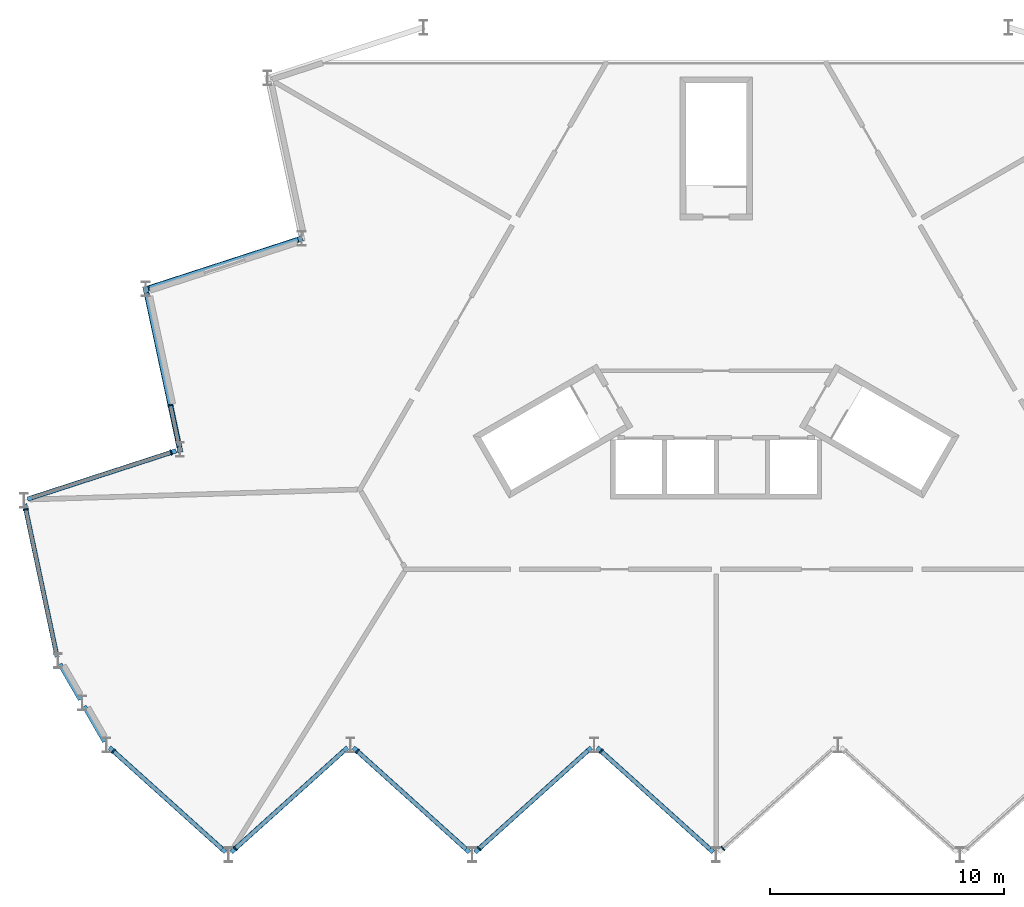
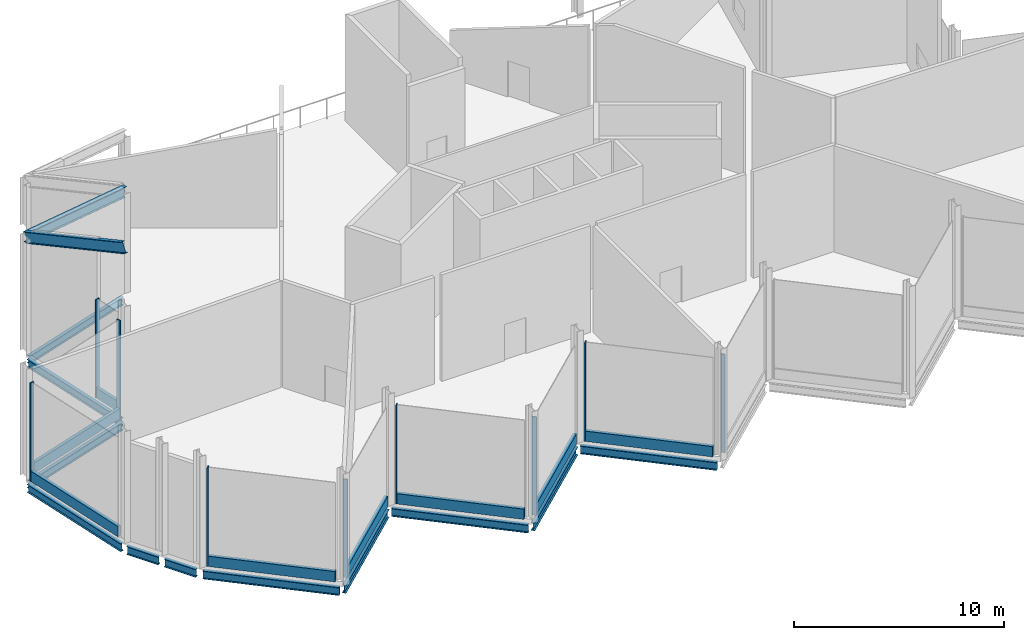
# One storey, part 4 of 10: 19 members, 11 beams, 9 elements without a shape of their own.
"""IFC4 building model written with IfcOpenShell, lengths in metres."""

import ifcopenshell
import ifcopenshell.guid

model = None  # the IFC model being written
_history = None  # IfcOwnerHistory: only IFC2X3 demands one
_inside = {}  # id of a spatial element -> (the spatial element, [elements in it])
_under = {}  # id of a project, library or spatial element -> (it, [spatial elements below it])
_declared = {}  # id of a project -> (the project, [libraries it declares])
_typed = {}  # id of a type object -> (the type object, [elements of that type])
_made_of = {}  # id of a material, layer set ... -> (it, [elements and type objects made of it])


def new_model(schema):
    """Start an empty IFC model of exactly this schema.

    Asked for "IFC4X3", IfcOpenShell would pick the latest addendum, in which some entities
    have other attributes; the version numbers below select the first issue.
    IFC2X3 requires an IfcOwnerHistory on every rooted entity: one is made here for all.
    """
    global model, _history
    if schema == "IFC4X3":
        model = ifcopenshell.file(schema_version=(4, 3, 0, 0))
    else:
        model = ifcopenshell.file(schema=schema)
    _inside.clear()
    _under.clear()
    _declared.clear()
    _typed.clear()
    _made_of.clear()
    _history = None
    if model.schema == "IFC2X3":
        org = make("IfcOrganization", Name="unknown")
        user = make(
            "IfcPersonAndOrganization",
            ThePerson=make("IfcPerson", FamilyName="unknown"),
            TheOrganization=org,
        )
        app = make(
            "IfcApplication",
            ApplicationDeveloper=org,
            Version="unknown",
            ApplicationFullName="unknown",
            ApplicationIdentifier="unknown",
        )
        _history = make(
            "IfcOwnerHistory",
            OwningUser=user,
            OwningApplication=app,
            ChangeAction="ADDED",
            CreationDate=0,
        )
    return model


def make(cls, **values):
    """One entity of the class cls with the attributes given. An attribute that is None is left unset."""
    return model.create_entity(
        cls, **{name: value for name, value in values.items() if value is not None}
    )


def rooted(cls, **values):
    """An entity with a GlobalId (a new one), such as an element, a storey or a relation."""
    return make(cls, GlobalId=ifcopenshell.guid.new(), OwnerHistory=_history, **values)


def si_unit(unit_type, name, prefix=None):
    """IfcSIUnit, for example si_unit("LENGTHUNIT", "METRE", prefix="MILLI")."""
    return make("IfcSIUnit", UnitType=unit_type, Prefix=prefix, Name=name)


def assignment(units):
    """IfcUnitAssignment: the units of a project."""
    return None if units is None else make("IfcUnitAssignment", Units=units)


def point(xyz):
    """IfcCartesianPoint."""
    return None if xyz is None else make("IfcCartesianPoint", Coordinates=xyz)


def direction(xyz):
    """IfcDirection."""
    return None if xyz is None else make("IfcDirection", DirectionRatios=xyz)


def frame(location, z_axis=None, x_axis=None):
    """IfcAxis2Placement3D, a coordinate frame: its origin and axes. An axis left out is left unset."""
    return make(
        "IfcAxis2Placement3D",
        Location=point(location),
        Axis=direction(z_axis),
        RefDirection=direction(x_axis),
    )


def frame_2d(location, x_axis=None):
    """IfcAxis2Placement2D, a coordinate frame in the plane: its origin and x axis."""
    return make(
        "IfcAxis2Placement2D", Location=point(location), RefDirection=direction(x_axis)
    )


def origin():
    """The frame at (0, 0, 0) with its axes left unset."""
    return frame((0.0, 0.0, 0.0))


def origin_2d():
    """The frame at (0, 0) in the plane with its x axis left unset."""
    return frame_2d((0.0, 0.0))


def place(relative_to, where):
    """IfcLocalPlacement: puts the frame where relative to a parent placement (None: the world)."""
    return make(
        "IfcLocalPlacement", PlacementRelTo=relative_to, RelativePlacement=where
    )


def context(
    kind, dimensions, precision=None, world=None, true_north=None, identifier=None
):
    """IfcGeometricRepresentationContext, for example the 3D "Model" context."""
    return make(
        "IfcGeometricRepresentationContext",
        ContextIdentifier=identifier,
        ContextType=kind,
        CoordinateSpaceDimension=dimensions,
        Precision=precision,
        WorldCoordinateSystem=world,
        TrueNorth=true_north,
    )


def subcontext(parent, identifier, kind, view, scale=None):
    """IfcGeometricRepresentationSubContext, for example "Body" below "Model"."""
    return make(
        "IfcGeometricRepresentationSubContext",
        ContextIdentifier=identifier,
        ContextType=kind,
        ParentContext=parent,
        TargetScale=scale,
        TargetView=view,
    )


def project(units=None, contexts=None):
    """IfcProject with its units and contexts."""
    return rooted(
        "IfcProject",
        Name="project",
        RepresentationContexts=contexts,
        UnitsInContext=assignment(units),
    )


def spatial(cls, under=None, at=None, **own):
    """A site, building, storey or space (cls), placed at a placement, below another one or the project."""
    s = rooted(cls, ObjectPlacement=at, **own)
    if under is not None:
        _under.setdefault(under.id(), (under, []))[1].append(s)
    return s


def profile(cls, at=None, kind="AREA", **sizes):
    """A parametric profile (cls). Its sizes go by their IFC names, for example OverallWidth=200.0."""
    return make(cls, ProfileType=kind, Position=at, **sizes)


def rectangle(**sizes):
    """IfcRectangleProfileDef."""
    return profile("IfcRectangleProfileDef", **sizes)


def i_section(**sizes):
    """IfcIShapeProfileDef."""
    return profile("IfcIShapeProfileDef", **sizes)


def extrude(swept, where, along, depth):
    """IfcExtrudedAreaSolid: the profile swept, set in the frame where, extruded along a direction by depth."""
    return make(
        "IfcExtrudedAreaSolid",
        SweptArea=swept,
        Position=where,
        ExtrudedDirection=direction(along),
        Depth=depth,
    )


def shape(context_of_items, identifier, shape_type, items):
    """IfcShapeRepresentation: the items that make up one representation, for example the "Body"."""
    return make(
        "IfcShapeRepresentation",
        ContextOfItems=context_of_items,
        RepresentationIdentifier=identifier,
        RepresentationType=shape_type,
        Items=items,
    )


def material(Name=None, Category=None):
    """IfcMaterial."""
    return make("IfcMaterial", Name=Name, Category=Category)


def layer(
    of_material, thickness, ventilated=None, Name=None, Category=None, Priority=None
):
    """IfcMaterialLayer: one layer of a wall or slab, of a material (None: an air gap)."""
    return make(
        "IfcMaterialLayer",
        Material=of_material,
        LayerThickness=thickness,
        IsVentilated=ventilated,
        Name=Name,
        Category=Category,
        Priority=Priority,
    )


def layer_set(layers, Name=None):
    """IfcMaterialLayerSet."""
    return make("IfcMaterialLayerSet", MaterialLayers=layers, LayerSetName=Name)


def material_profile(
    of_material, cross_section, Name=None, Category=None, Priority=None
):
    """IfcMaterialProfile: a cross section and its material."""
    return make(
        "IfcMaterialProfile",
        Name=Name,
        Material=of_material,
        Profile=cross_section,
        Priority=Priority,
        Category=Category,
    )


def profile_set(profiles, Name=None, composite=None):
    """IfcMaterialProfileSet."""
    return make(
        "IfcMaterialProfileSet",
        Name=Name,
        MaterialProfiles=profiles,
        CompositeProfile=composite,
    )


def made_of(thing, what):
    """Note that an element or type object is made of a material, layer set ...; save() writes the relation."""
    if what is not None:
        _made_of.setdefault(what.id(), (what, []))[1].append(thing)
    return thing


def type_object(cls, material=None, **own):
    """A type object (cls), such as IfcWallType, which elements share."""
    return made_of(rooted(cls, **own), material)


def element(
    cls,
    number,
    at=None,
    inside=None,
    cuts=None,
    type_object=None,
    material=None,
    context=None,
    identifier="Body",
    shape_type=None,
    held_by="IfcProductDefinitionShape",
    body=None,
    shapes=None,
    **own,
):
    """One element of the class cls, such as IfcWall. Its Tag is "e" and its number.

    at: its placement. inside: the storey or other place that contains it. cuts: it is an
    opening in that element (IfcRelVoidsElement). A single representation is given by context,
    identifier, shape_type and body (its items); several are given by shapes. held_by: the class
    of the entity that holds the representations. save() writes the other relations.
    """
    e = rooted(cls, Tag="e%d" % number, ObjectPlacement=at, **own)
    if body is not None:
        shapes = [shape(context, identifier, shape_type, body)]
    if shapes is not None:
        e.Representation = make(held_by, Representations=shapes)
    if inside is not None:
        _inside.setdefault(inside.id(), (inside, []))[1].append(e)
    if cuts is not None:
        rooted(
            "IfcRelVoidsElement", RelatingBuildingElement=cuts, RelatedOpeningElement=e
        )
    if type_object is not None:
        _typed.setdefault(type_object.id(), (type_object, []))[1].append(e)
    return made_of(e, material)


def aggregate(whole, parts):
    """IfcRelAggregates: a whole, such as a stair, and the parts it consists of."""
    return rooted("IfcRelAggregates", RelatingObject=whole, RelatedObjects=parts)


def save(model, path):
    """Write the relations noted so far, then the file.

    IfcRelAggregates (storeys below a building ...), IfcRelContainedInSpatialStructure (elements
    in a storey), IfcRelDefinesByType, IfcRelAssociatesMaterial and IfcRelDeclares: one each for
    every whole, place, type object, material and project.
    """
    for whole, parts in _under.values():
        aggregate(whole, parts)
    for where, things in _inside.values():
        rooted(
            "IfcRelContainedInSpatialStructure",
            RelatedElements=things,
            RelatingStructure=where,
        )
    for kind, things in _typed.values():
        rooted("IfcRelDefinesByType", RelatedObjects=things, RelatingType=kind)
    for what, things in _made_of.values():
        rooted("IfcRelAssociatesMaterial", RelatedObjects=things, RelatingMaterial=what)
    for by, libraries in _declared.values():
        rooted("IfcRelDeclares", RelatingContext=by, RelatedDefinitions=libraries)
    model.write(path)


model = new_model("IFC4")

# Units and contexts
model_context = context("Model", 3, precision=1e-05, world=origin(), true_north=direction((0.0, 1.0)))
body_context = subcontext(model_context, "Body", "Model", "MODEL_VIEW")
ifc_project = project(units=[si_unit("LENGTHUNIT", "METRE"), si_unit("AREAUNIT", "SQUARE_METRE"), si_unit("VOLUMEUNIT", "CUBIC_METRE"), si_unit("PLANEANGLEUNIT", "RADIAN"), si_unit("MASSUNIT", "GRAM", prefix="KILO")], contexts=[model_context])

# Site, building, storey
site_placement = place(None, origin())
site = spatial("IfcSite", under=ifc_project, at=site_placement, CompositionType="ELEMENT")
building_placement = place(site_placement, origin())
building = spatial("IfcBuilding", under=site, at=building_placement, Name="Cormorant Prow Tower", CompositionType="ELEMENT")
storey_placement = place(building_placement, frame((0.0, 0.0, 441.199951171875)))
storey = spatial("IfcBuildingStorey", under=building, at=storey_placement, Name="L98", CompositionType="ELEMENT", Elevation=441.199951171875)

# Members
ifc_material_1 = material(Name="Structural steel ASTM A992 Gr 50", Category="steel")
ifc_material_profile_1 = material_profile(ifc_material_1, i_section(OverallWidth=0.22900390625, OverallDepth=0.612060546875, WebThickness=0.011962890625, FlangeThickness=0.01953125, at=origin_2d()), Name="W24x84")
ifc_profile_set_1 = profile_set([ifc_material_profile_1], Name="Structural steel ASTM A992 Gr 50")
member_type_1 = type_object("IfcMemberType", Name="Crown frame edge member W24x84", PredefinedType="USERDEFINED", material=ifc_profile_set_1)
member_1_placement = place(storey_placement, frame((-17.673828125, 4.199462890625, 5.731689453125), z_axis=(-0.94228602801, -0.306144437011, 0.135545656902), x_axis=(0.308996131046, -0.951063294949, 0.0)))
element("IfcMember", 1, at=member_1_placement, inside=storey, type_object=member_type_1, Name="Crown frame edge member CF3 WNW06-WNW07", ObjectType="CROWN FRAME", PredefinedType="USERDEFINED", context=body_context, shape_type="SweptSolid", body=[
    extrude(i_section(OverallWidth=0.22900390625, OverallDepth=0.612060546875, WebThickness=0.011962890625, FlangeThickness=0.01953125, at=origin_2d()), origin(), (0.0, 0.0, 1.0), 7.0625),
])
ifc_material_2 = material(Name="Structural steel ASTM A992 Gr 50", Category="steel")
ifc_material_profile_2 = material_profile(ifc_material_2, i_section(OverallWidth=0.22900390625, OverallDepth=0.612060546875, WebThickness=0.011962890625, FlangeThickness=0.01953125, at=origin_2d()), Name="W24x84")
ifc_profile_set_2 = profile_set([ifc_material_profile_2], Name="Structural steel ASTM A992 Gr 50")
member_type_2 = type_object("IfcMemberType", Name="Crown frame rafter W24x84", PredefinedType="RAFTER", material=ifc_profile_set_2)
member_2_placement = place(storey_placement, frame((-24.32861328125, 2.037353515625, 6.7021484375), z_axis=(0.190791444748, -0.897606671171, 0.397367447687), x_axis=(0.978147765396, 0.20791091614, 0.0)))
element("IfcMember", 2, at=member_2_placement, inside=storey, type_object=member_type_2, Name="Crown frame rafter CF2 WNW07-WNW08", PredefinedType="RAFTER", context=body_context, shape_type="SweptSolid", body=[
    extrude(i_section(OverallWidth=0.22900390625, OverallDepth=0.612060546875, WebThickness=0.011962890625, FlangeThickness=0.01953125, at=origin_2d()), origin(), (0.0, 0.0, 1.0), 7.625244140625),
])

# Curtain wall, member
ifc_material_3 = material(Name="Aluminium 6063-T6", Category="aluminium")
ifc_layer = layer(ifc_material_3, 0.219970703125)
ifc_layer_set = layer_set([ifc_layer], Name="Aluminium 6063-T6")
curtain_wall_type = type_object("IfcCurtainWallType", Name="Crown unitised curtain wall 220", PredefinedType="NOTDEFINED", material=ifc_layer_set)
curtain_wall_1_placement = place(storey_placement, origin())
curtain_wall_1 = element("IfcCurtainWall", 3, at=curtain_wall_1_placement, inside=storey, type_object=curtain_wall_type, Name="Crown curtain wall crown S00", PredefinedType="NOTDEFINED")
ifc_material_4 = material(Name="Aluminium 6063-T6", Category="aluminium")
ifc_material_profile_3 = material_profile(ifc_material_4, rectangle(XDim=0.219970703125, YDim=0.06005859375, at=origin_2d()), Name="Crown mullion 60x220")
ifc_profile_set_3 = profile_set([ifc_material_profile_3], Name="Aluminium 6063-T6")
member_type_3 = type_object("IfcMemberType", Name="Crown mullion 60x220", PredefinedType="MULLION", material=ifc_profile_set_3)
member_3_placement = place(storey_placement, frame((-25.705810546875, -17.670654296875, 0.0), z_axis=(0.0, 0.0, 1.0), x_axis=(0.669130603959, 0.743144827638, 0.0)))
member_3 = element("IfcMember", 4, at=member_3_placement, type_object=member_type_3, Name="Crown mullion crown S00", PredefinedType="MULLION", context=body_context, shape_type="SweptSolid", body=[
    extrude(rectangle(XDim=0.219970703125, YDim=0.06005859375, at=origin_2d()), origin(), (0.0, 0.0, 1.0), 5.73388671875),
])

curtain_wall_2_placement = place(storey_placement, origin())
curtain_wall_2 = element("IfcCurtainWall", 5, at=curtain_wall_2_placement, inside=storey, type_object=curtain_wall_type, Name="Crown curtain wall crown S01", PredefinedType="NOTDEFINED")
member_4_placement = place(storey_placement, frame((-20.505615234375, -21.82275390625, 0.0), z_axis=(0.0, 0.0, 1.0), x_axis=(-0.669130603959, 0.743144827638, 0.0)))
member_4 = element("IfcMember", 6, at=member_4_placement, type_object=member_type_3, Name="Crown mullion crown S01", PredefinedType="MULLION", context=body_context, shape_type="SweptSolid", body=[
    extrude(rectangle(XDim=0.219970703125, YDim=0.06005859375, at=origin_2d()), origin(), (0.0, 0.0, 1.0), 5.73388671875),
])

curtain_wall_3_placement = place(storey_placement, origin())
curtain_wall_3 = element("IfcCurtainWall", 7, at=curtain_wall_3_placement, inside=storey, type_object=curtain_wall_type, Name="Crown curtain wall crown S02", PredefinedType="NOTDEFINED")
member_5_placement = place(storey_placement, frame((-15.3056640625, -17.670654296875, 0.0), z_axis=(0.0, 0.0, 1.0), x_axis=(0.669130603959, 0.743144827638, 0.0)))
member_5 = element("IfcMember", 8, at=member_5_placement, type_object=member_type_3, Name="Crown mullion crown S02", PredefinedType="MULLION", context=body_context, shape_type="SweptSolid", body=[
    extrude(rectangle(XDim=0.219970703125, YDim=0.06005859375, at=origin_2d()), origin(), (0.0, 0.0, 1.0), 5.73388671875),
])

curtain_wall_4_placement = place(storey_placement, origin())
curtain_wall_4 = element("IfcCurtainWall", 9, at=curtain_wall_4_placement, inside=storey, type_object=curtain_wall_type, Name="Crown curtain wall crown S03", PredefinedType="NOTDEFINED")
member_6_placement = place(storey_placement, frame((-10.105712890625, -21.82275390625, 0.0), z_axis=(0.0, 0.0, 1.0), x_axis=(-0.669130603959, 0.743144827638, 0.0)))
member_6 = element("IfcMember", 10, at=member_6_placement, type_object=member_type_3, Name="Crown mullion crown S03", PredefinedType="MULLION", context=body_context, shape_type="SweptSolid", body=[
    extrude(rectangle(XDim=0.219970703125, YDim=0.06005859375, at=origin_2d()), origin(), (0.0, 0.0, 1.0), 5.73388671875),
])

curtain_wall_5_placement = place(storey_placement, origin())
curtain_wall_5 = element("IfcCurtainWall", 11, at=curtain_wall_5_placement, inside=storey, type_object=curtain_wall_type, Name="Crown curtain wall crown S04", PredefinedType="NOTDEFINED")
member_7_placement = place(storey_placement, frame((-4.90576171875, -17.670654296875, 0.0), z_axis=(0.0, 0.0, 1.0), x_axis=(0.669130603959, 0.743144827638, 0.0)))
member_7 = element("IfcMember", 12, at=member_7_placement, type_object=member_type_3, Name="Crown mullion crown S04", PredefinedType="MULLION", context=body_context, shape_type="SweptSolid", body=[
    extrude(rectangle(XDim=0.219970703125, YDim=0.06005859375, at=origin_2d()), origin(), (0.0, 0.0, 1.0), 5.73388671875),
])

curtain_wall_6_placement = place(storey_placement, origin())
curtain_wall_6 = element("IfcCurtainWall", 13, at=curtain_wall_6_placement, inside=storey, type_object=curtain_wall_type, Name="Crown curtain wall crown S05", PredefinedType="NOTDEFINED")
member_8_placement = place(storey_placement, frame((0.294189453125, -21.82275390625, 0.0), z_axis=(0.0, 0.0, 1.0), x_axis=(-0.669130603959, 0.743144827638, 0.0)))
member_8 = element("IfcMember", 14, at=member_8_placement, type_object=member_type_3, Name="Crown mullion crown S05", PredefinedType="MULLION", context=body_context, shape_type="SweptSolid", body=[
    extrude(rectangle(XDim=0.219970703125, YDim=0.06005859375, at=origin_2d()), origin(), (0.0, 0.0, 1.0), 5.73388671875),
])
aggregate(curtain_wall_6, [member_8])

curtain_wall_7_placement = place(storey_placement, origin())
curtain_wall_7 = element("IfcCurtainWall", 15, at=curtain_wall_7_placement, inside=storey, type_object=curtain_wall_type, Name="Crown curtain wall crown WNW07", PredefinedType="NOTDEFINED")
member_9_placement = place(storey_placement, frame((-23.275390625, -2.91748046875, 0.0), z_axis=(0.0, 0.0, 1.0), x_axis=(0.978147615768, 0.207911620089, 0.0)))
member_9 = element("IfcMember", 16, at=member_9_placement, type_object=member_type_3, Name="Crown mullion crown WNW07", PredefinedType="MULLION", context=body_context, shape_type="SweptSolid", body=[
    extrude(rectangle(XDim=0.219970703125, YDim=0.06005859375, at=origin_2d()), origin(), (0.0, 0.0, 1.0), 5.73388671875),
])

curtain_wall_8_placement = place(storey_placement, origin())
curtain_wall_8 = element("IfcCurtainWall", 17, at=curtain_wall_8_placement, inside=storey, type_object=curtain_wall_type, Name="Crown curtain wall crown WNW08", PredefinedType="NOTDEFINED")
member_10_placement = place(storey_placement, frame((-23.25048828125, -4.929443359375, 0.0), z_axis=(0.0, 0.0, 1.0), x_axis=(0.309016937108, -0.951056534902, 0.0)))
member_10 = element("IfcMember", 18, at=member_10_placement, type_object=member_type_3, Name="Crown mullion crown WNW08", PredefinedType="MULLION", context=body_context, shape_type="SweptSolid", body=[
    extrude(rectangle(XDim=0.219970703125, YDim=0.06005859375, at=origin_2d()), origin(), (0.0, 0.0, 1.0), 5.73388671875),
])

curtain_wall_9_placement = place(storey_placement, origin())
curtain_wall_9 = element("IfcCurtainWall", 19, at=curtain_wall_9_placement, inside=storey, type_object=curtain_wall_type, Name="Crown curtain wall crown WNW09", PredefinedType="NOTDEFINED")
member_11_placement = place(storey_placement, frame((-29.4462890625, -7.356689453125, 0.0), z_axis=(0.0, 0.0, 1.0), x_axis=(0.978147615768, 0.207911620089, 0.0)))
member_11 = element("IfcMember", 20, at=member_11_placement, type_object=member_type_3, Name="Crown mullion crown WNW09", PredefinedType="MULLION", context=body_context, shape_type="SweptSolid", body=[
    extrude(rectangle(XDim=0.219970703125, YDim=0.06005859375, at=origin_2d()), origin(), (0.0, 0.0, 1.0), 5.73388671875),
])

# Beams
ifc_material_5 = material(Name="Structural steel ASTM A992 Gr 50", Category="steel")
ifc_material_profile_4 = material_profile(ifc_material_5, i_section(OverallWidth=0.19287109375, OverallDepth=0.466064453125, WebThickness=0.011474609375, FlangeThickness=0.01904296875, at=origin_2d()), Name="W18x65")
ifc_profile_set_4 = profile_set([ifc_material_profile_4], Name="Structural steel ASTM A992 Gr 50")
beam_type = type_object("IfcBeamType", Name="Crown ring beam W18x65", PredefinedType="SPANDREL", material=ifc_profile_set_4)
for number, where, z_axis, x_axis, name in (
    (21, (-25.878662109375, -17.514892578125, -0.532958984375), (0.743139440672, -0.669136586743, 0.0), (0.669136586743, 0.743139440672, 0.0), "Crown ring beam SB5 S00-S01 L98"),
    (22, (-20.6787109375, -21.978515625, -0.532958984375), (0.743139440672, 0.669136586743, 0.0), (-0.669136586743, 0.743139440672, 0.0), "Crown ring beam SB5 S01-S02 L98"),
):
    element("IfcBeam", number, at=place(storey_placement, frame(where, z_axis=z_axis, x_axis=x_axis)), inside=storey, type_object=beam_type, Name=name, PredefinedType="SPANDREL", context=body_context, shape_type="SweptSolid", body=[
        extrude(i_section(OverallWidth=0.19287109375, OverallDepth=0.466064453125, WebThickness=0.011474609375, FlangeThickness=0.01904296875, at=origin_2d()), origin(), (0.0, 0.0, 1.0), 6.670654296875),
    ])
beam_1_placement = place(storey_placement, frame((-15.478759765625, -17.514892578125, -0.532958984375), z_axis=(0.743155826906, -0.669118387832, 0.0), x_axis=(0.669118387832, 0.743155826906, 0.0)))
element("IfcBeam", 23, at=beam_1_placement, inside=storey, type_object=beam_type, Name="Crown ring beam SB5 S02-S03 L98", PredefinedType="SPANDREL", context=body_context, shape_type="SweptSolid", body=[
    extrude(i_section(OverallWidth=0.19287109375, OverallDepth=0.466064453125, WebThickness=0.011474609375, FlangeThickness=0.01904296875, at=origin_2d()), origin(), (0.0, 0.0, 1.0), 6.6708984375),
])
for number, where, z_axis, x_axis, name in (
    (24, (-10.278564453125, -21.978515625, -0.532958984375), (0.743139440672, 0.669136586743, 0.0), (-0.669136586743, 0.743139440672, 0.0), "Crown ring beam SB5 S03-S04 L98"),
    (25, (-5.07861328125, -17.514892578125, -0.532958984375), (0.743139440672, -0.669136586743, 0.0), (0.669136586743, 0.743139440672, 0.0), "Crown ring beam SB5 S04-S05 L98"),
    (26, (-17.8291015625, 4.149169921875, -0.532958984375), (-0.951049666898, -0.309038073858, 0.0), (0.309038073858, -0.951049666898, 0.0), "Crown ring beam SB5 WNW06-WNW07 L98"),
):
    element("IfcBeam", number, at=place(storey_placement, frame(where, z_axis=z_axis, x_axis=x_axis)), inside=storey, type_object=beam_type, Name=name, PredefinedType="SPANDREL", context=body_context, shape_type="SweptSolid", body=[
        extrude(i_section(OverallWidth=0.19287109375, OverallDepth=0.466064453125, WebThickness=0.011474609375, FlangeThickness=0.01904296875, at=origin_2d()), origin(), (0.0, 0.0, 1.0), 6.670654296875),
    ])
beam_2_placement = place(storey_placement, frame((-24.294677734375, 1.877685546875, -0.532958984375), z_axis=(0.207911717999, -0.978147594956, 0.0), x_axis=(0.978147594956, 0.207911717999, 0.0)))
element("IfcBeam", 27, at=beam_2_placement, inside=storey, type_object=beam_type, Name="Crown ring beam SB5 WNW07-WNW08 L98", PredefinedType="SPANDREL", context=body_context, shape_type="SweptSolid", body=[
    extrude(i_section(OverallWidth=0.19287109375, OverallDepth=0.466064453125, WebThickness=0.011474609375, FlangeThickness=0.01904296875, at=origin_2d()), origin(), (0.0, 0.0, 1.0), 6.6708984375),
])
for number, where, z_axis, x_axis, name in (
    (28, (-23.029052734375, -4.857666015625, -0.532958984375), (-0.95106042314, -0.309004970083, 0.0), (0.309004970083, -0.95106042314, 0.0), "Crown ring beam SB5 WNW08-WNW09 L98"),
    (29, (-29.49462890625, -7.129150390625, -0.532958984375), (0.207919161079, -0.978146012851, 0.0), (0.978146012851, 0.207919161079, 0.0), "Crown ring beam SB5 WNW09-WSW00 L98"),
):
    element("IfcBeam", number, at=place(storey_placement, frame(where, z_axis=z_axis, x_axis=x_axis)), inside=storey, type_object=beam_type, Name=name, PredefinedType="SPANDREL", context=body_context, shape_type="SweptSolid", body=[
        extrude(i_section(OverallWidth=0.19287109375, OverallDepth=0.466064453125, WebThickness=0.011474609375, FlangeThickness=0.01904296875, at=origin_2d()), origin(), (0.0, 0.0, 1.0), 6.670654296875),
    ])
for number, where, z_axis, x_axis, name in (
    (30, (-27.9921875, -13.955078125, -0.532958984375), (0.500061095026, -0.865990127681, 0.0), (0.865990127681, 0.500061095026, 0.0), "Crown ring beam SB5 WSW00-WSW01 L98"),
    (31, (-26.955322265625, -15.751220703125, -0.532958984375), (0.500061095026, -0.865990127681, 0.0), (0.865990127681, 0.500061095026, 0.0), "Crown ring beam SB5 WSW01-S00 L98"),
):
    element("IfcBeam", number, at=place(storey_placement, frame(where, z_axis=z_axis, x_axis=x_axis)), inside=storey, type_object=beam_type, Name=name, PredefinedType="SPANDREL", context=body_context, shape_type="SweptSolid", body=[
        extrude(i_section(OverallWidth=0.19287109375, OverallDepth=0.466064453125, WebThickness=0.011474609375, FlangeThickness=0.01904296875, at=origin_2d()), origin(), (0.0, 0.0, 1.0), 1.747314453125),
    ])

# Member
ifc_material_6 = material(Name="Terracotta", Category="masonry")
ifc_material_profile_5 = material_profile(ifc_material_6, rectangle(XDim=0.179931640625, YDim=0.60009765625, at=origin_2d()), Name="Crown terracotta spandrel rail 180x600")
ifc_profile_set_5 = profile_set([ifc_material_profile_5], Name="Terracotta")
member_type_4 = type_object("IfcMemberType", Name="Crown terracotta spandrel rail 180x600", PredefinedType="USERDEFINED", material=ifc_profile_set_5)
member_12_placement = place(storey_placement, frame((-25.683349609375, -17.690673828125, 0.300048828125), z_axis=(0.743121966202, -0.669155993285, 0.0), x_axis=(0.669155993285, 0.743121966202, 0.0)))
member_12 = element("IfcMember", 32, at=member_12_placement, type_object=member_type_4, Name="Crown spandrel rail crown S00", ObjectType="TRANSOM", PredefinedType="USERDEFINED", context=body_context, shape_type="SweptSolid", body=[
    extrude(rectangle(XDim=0.179931640625, YDim=0.60009765625, at=origin_2d()), origin(), (0.0, 0.0, 1.0), 6.205322265625),
])

aggregate(curtain_wall_1, [member_3, member_12])

member_13_placement = place(storey_placement, frame((-20.4833984375, -21.802734375, 0.300048828125), z_axis=(0.743141530577, 0.669134265699, 0.0), x_axis=(-0.669134265699, 0.743141530577, 0.0)))
member_13 = element("IfcMember", 33, at=member_13_placement, type_object=member_type_4, Name="Crown spandrel rail crown S01", ObjectType="TRANSOM", PredefinedType="USERDEFINED", context=body_context, shape_type="SweptSolid", body=[
    extrude(rectangle(XDim=0.179931640625, YDim=0.60009765625, at=origin_2d()), origin(), (0.0, 0.0, 1.0), 6.205078125),
])

aggregate(curtain_wall_2, [member_4, member_13])

member_14_placement = place(storey_placement, frame((-15.283447265625, -17.690673828125, 0.300048828125), z_axis=(0.743139582304, -0.669136429447, 0.0), x_axis=(0.669136429447, 0.743139582304, 0.0)))
member_14 = element("IfcMember", 34, at=member_14_placement, type_object=member_type_4, Name="Crown spandrel rail crown S02", ObjectType="TRANSOM", PredefinedType="USERDEFINED", context=body_context, shape_type="SweptSolid", body=[
    extrude(rectangle(XDim=0.179931640625, YDim=0.60009765625, at=origin_2d()), origin(), (0.0, 0.0, 1.0), 6.20556640625),
])

aggregate(curtain_wall_3, [member_5, member_14])

member_15_placement = place(storey_placement, frame((-10.08349609375, -21.802734375, 0.300048828125), z_axis=(0.743159145999, 0.669114701466, 0.0), x_axis=(-0.669114701466, 0.743159145999, 0.0)))
member_15 = element("IfcMember", 35, at=member_15_placement, type_object=member_type_4, Name="Crown spandrel rail crown S03", ObjectType="TRANSOM", PredefinedType="USERDEFINED", context=body_context, shape_type="SweptSolid", body=[
    extrude(rectangle(XDim=0.179931640625, YDim=0.60009765625, at=origin_2d()), origin(), (0.0, 0.0, 1.0), 6.205322265625),
])

aggregate(curtain_wall_4, [member_6, member_15])

member_16_placement = place(storey_placement, frame((-4.88330078125, -17.690673828125, 0.300048828125), z_axis=(0.743121966202, -0.669155993285, 0.0), x_axis=(0.669155993285, 0.743121966202, 0.0)))
member_16 = element("IfcMember", 36, at=member_16_placement, type_object=member_type_4, Name="Crown spandrel rail crown S04", ObjectType="TRANSOM", PredefinedType="USERDEFINED", context=body_context, shape_type="SweptSolid", body=[
    extrude(rectangle(XDim=0.179931640625, YDim=0.60009765625, at=origin_2d()), origin(), (0.0, 0.0, 1.0), 6.205322265625),
])

aggregate(curtain_wall_5, [member_7, member_16])

member_17_placement = place(storey_placement, frame((-23.269287109375, -2.94677734375, 0.300048828125), z_axis=(0.207900577112, -0.978149962959, 0.0), x_axis=(0.978149962959, 0.207900577112, 0.0)))
member_17 = element("IfcMember", 37, at=member_17_placement, type_object=member_type_4, Name="Crown spandrel rail crown WNW07", ObjectType="TRANSOM", PredefinedType="USERDEFINED", context=body_context, shape_type="SweptSolid", body=[
    extrude(rectangle(XDim=0.179931640625, YDim=0.60009765625, at=origin_2d()), origin(), (0.0, 0.0, 1.0), 1.535888671875),
])

aggregate(curtain_wall_7, [member_9, member_17])

member_18_placement = place(storey_placement, frame((-23.279052734375, -4.938720703125, 0.300048828125), z_axis=(-0.951056041011, -0.309018457145, 0.0), x_axis=(0.309018457145, -0.951056041011, 0.0)))
member_18 = element("IfcMember", 38, at=member_18_placement, type_object=member_type_4, Name="Crown spandrel rail crown WNW08", ObjectType="TRANSOM", PredefinedType="USERDEFINED", context=body_context, shape_type="SweptSolid", body=[
    extrude(rectangle(XDim=0.179931640625, YDim=0.60009765625, at=origin_2d()), origin(), (0.0, 0.0, 1.0), 6.205078125),
])

aggregate(curtain_wall_8, [member_10, member_18])

member_19_placement = place(storey_placement, frame((-29.43994140625, -7.385986328125, 0.300048828125), z_axis=(0.207889811544, -0.978152251061, 0.0), x_axis=(0.978152251061, 0.207889811544, 0.0)))
member_19 = element("IfcMember", 39, at=member_19_placement, type_object=member_type_4, Name="Crown spandrel rail crown WNW09", ObjectType="TRANSOM", PredefinedType="USERDEFINED", context=body_context, shape_type="SweptSolid", body=[
    extrude(rectangle(XDim=0.179931640625, YDim=0.60009765625, at=origin_2d()), origin(), (0.0, 0.0, 1.0), 6.205322265625),
])

aggregate(curtain_wall_9, [member_11, member_19])

save(model, "model.ifc")
